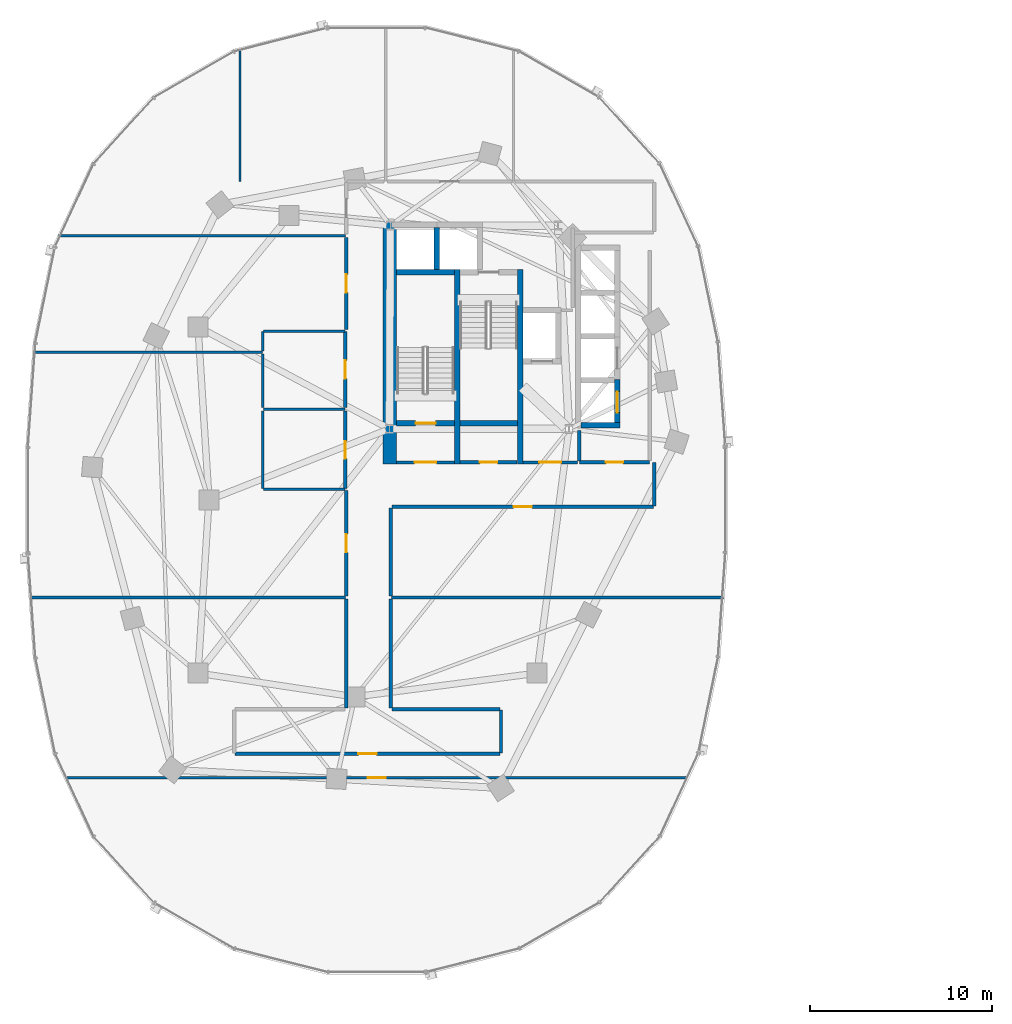
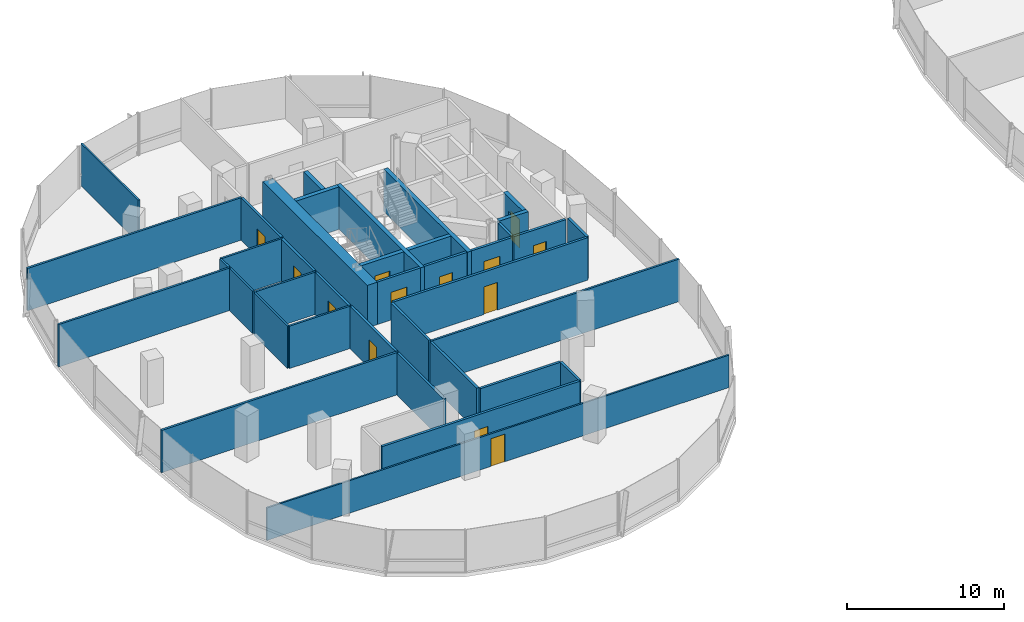
# One storey, part 11 of 21: 38 walls, 13 doors, 13 openings.
"""IFC4 building model written with IfcOpenShell, lengths in metres."""

from ifc_helpers import new_model, si_unit, direction, frame, frame_2d, origin, place, context, subcontext, project, spatial, rectangle, extrude, material, layer, layer_set, type_object, element, fill, save


model = new_model("IFC4")

# Units and contexts
model_context = context("Model", 3, precision=1e-05, world=origin(), true_north=direction((0.0, 1.0)))
body_context = subcontext(model_context, "Body", "Model", "MODEL_VIEW")
ifc_project = project(units=[si_unit("LENGTHUNIT", "METRE"), si_unit("AREAUNIT", "SQUARE_METRE"), si_unit("VOLUMEUNIT", "CUBIC_METRE"), si_unit("PLANEANGLEUNIT", "RADIAN"), si_unit("MASSUNIT", "GRAM", prefix="KILO"), si_unit("THERMODYNAMICTEMPERATUREUNIT", "KELVIN"), si_unit("POWERUNIT", "WATT")], contexts=[model_context])

# Site, building, storey
site_placement = place(None, origin())
site = spatial("IfcSite", under=ifc_project, at=site_placement, CompositionType="ELEMENT")
building_placement = place(site_placement, origin())
building = spatial("IfcBuilding", under=site, at=building_placement, Name="Cundina Bronze Exchange", CompositionType="ELEMENT")
storey_placement = place(building_placement, frame((0.0, 0.0, 117.800048828125)))
storey = spatial("IfcBuildingStorey", under=building, at=storey_placement, Name="L30", CompositionType="ELEMENT", Elevation=117.800048828125)

# Wall
ifc_material_1 = material(Name="Gypsum Fireboard Partition EI120")
ifc_layer_1 = layer(ifc_material_1, 0.179931640625, Name="Gypsum Fireboard Partition EI120")
ifc_layer_set_1 = layer_set([ifc_layer_1], Name="Gypsum Fireboard Partition EI120")
wall_type_1 = type_object("IfcWallType", Name="WL-COR-180", PredefinedType="PARTITIONING", material=ifc_layer_set_1)
wall_1_placement = place(storey_placement, frame((-20.889892578125, 2.14990234375, 0.0), z_axis=(0.0, 0.0, 1.0), x_axis=(0.0, 1.0, 0.0)))
element("IfcWall", 1, at=wall_1_placement, inside=storey, type_object=wall_type_1, Name="L30 W Firefighting Lobby Side Wall", PredefinedType="PARTITIONING", context=body_context, shape_type="SweptSolid", body=[
    extrude(rectangle(XDim=1.650146484375, YDim=0.179931640625, at=frame_2d((0.8251953125, 0.0))), origin(), (0.0, 0.0, 1.0), 3.300048828125),
])

# Wall, opening, door
wall_2_placement = place(storey_placement, frame((-23.97998046875, 2.06005859375, 0.0), z_axis=(0.0, 0.0, 1.0), x_axis=(1.0, 0.0, 0.0)))
wall_2 = element("IfcWall", 2, at=wall_2_placement, inside=storey, type_object=wall_type_1, Name="L30 W Firefighting Lobby Exit Wall", PredefinedType="PARTITIONING", context=body_context, shape_type="SweptSolid", body=[
    extrude(rectangle(XDim=3.0, YDim=0.179931640625, at=frame_2d((1.5, 0.0))), origin(), (0.0, 0.0, 1.0), 3.300048828125),
])
opening_1_placement = place(wall_2_placement, frame((0.89990234375, 0.0, 0.0)))
opening_1 = element("IfcOpeningElement", 3, at=opening_1_placement, cuts=wall_2, Name="Opening DF-01", PredefinedType="OPENING", context=body_context, shape_type="SweptSolid", body=[
    extrude(rectangle(XDim=1.199951171875, YDim=2.14990234375, at=frame_2d((0.60009765625, 1.074951171875))), frame((0.0, 0.099853515625, 0.0), z_axis=(0.0, -1.0, 0.0), x_axis=(1.0, 0.0, 0.0)), (0.0, 0.0, 1.0), 0.199951171875),
])
ifc_material_2 = material(Name="Steel ASTM A36 Painted", Category="steel")
door_type_1 = type_object("IfcDoorType", Name="DR-FFL-1200", OperationType="NOTDEFINED", PredefinedType="DOOR", material=ifc_material_2)
door_1_placement = place(opening_1_placement, origin())
door_1 = element("IfcDoor", 4, at=door_1_placement, inside=storey, type_object=door_type_1, Name="L30 W Firefighting Lobby Door", OperationType="SINGLE_SWING_RIGHT", OverallHeight=2.14990234375, OverallWidth=1.199951171875, PredefinedType="DOOR", context=body_context, shape_type="SweptSolid", body=[
    extrude(rectangle(XDim=1.199951171875, YDim=2.14990234375, at=frame_2d((0.60009765625, 1.074951171875))), frame((0.0, 0.02490234375, 0.0), z_axis=(0.0, -1.0, 0.0), x_axis=(1.0, 0.0, 0.0)), (0.0, 0.0, 1.0), 0.050048828125),
])
fill(opening_1, door_1)

wall_3_placement = place(storey_placement, frame((-30.89990234375, 2.06005859375, 0.0), z_axis=(0.0, 0.0, 1.0), x_axis=(1.0, 0.0, 0.0)))
wall_3 = element("IfcWall", 5, at=wall_3_placement, inside=storey, type_object=wall_type_1, Name="L30 W Stair Vestibule Exit Wall", PredefinedType="PARTITIONING", context=body_context, shape_type="SweptSolid", body=[
    extrude(rectangle(XDim=3.159912109375, YDim=0.179931640625, at=frame_2d((1.580078125, 0.0))), origin(), (0.0, 0.0, 1.0), 3.300048828125),
])
opening_2_placement = place(wall_3_placement, frame((0.97998046875, 0.0, 0.0)))
opening_2 = element("IfcOpeningElement", 6, at=opening_2_placement, cuts=wall_3, Name="Opening DF-01", PredefinedType="OPENING", context=body_context, shape_type="SweptSolid", body=[
    extrude(rectangle(XDim=1.199951171875, YDim=2.14990234375, at=frame_2d((0.60009765625, 1.074951171875))), frame((0.0, 0.099853515625, 0.0), z_axis=(0.0, -1.0, 0.0), x_axis=(1.0, 0.0, 0.0)), (0.0, 0.0, 1.0), 0.199951171875),
])
door_2_placement = place(opening_2_placement, origin())
door_2 = element("IfcDoor", 7, at=door_2_placement, inside=storey, type_object=door_type_1, Name="L30 W Stair Vestibule Door", OperationType="SINGLE_SWING_LEFT", OverallHeight=2.14990234375, OverallWidth=1.199951171875, PredefinedType="DOOR", context=body_context, shape_type="SweptSolid", body=[
    extrude(rectangle(XDim=1.199951171875, YDim=2.14990234375, at=frame_2d((0.60009765625, 1.074951171875))), frame((0.0, 0.02490234375, 0.0), z_axis=(0.0, -1.0, 0.0), x_axis=(1.0, 0.0, 0.0)), (0.0, 0.0, 1.0), 0.050048828125),
])
fill(opening_2, door_2)

wall_4_placement = place(storey_placement, frame((-20.8701171875, 2.070068359375, 0.0), z_axis=(0.0, 0.0, 1.0), x_axis=(1.0, 0.0, 0.0)))
wall_4 = element("IfcWall", 8, at=wall_4_placement, inside=storey, type_object=wall_type_1, Name="L30 Interior Partition 002", PredefinedType="PARTITIONING", context=body_context, shape_type="SweptSolid", body=[
    extrude(rectangle(XDim=3.830078125, YDim=0.179931640625, at=frame_2d((1.9150390625, 0.0))), origin(), (0.0, 0.0, 1.0), 3.300048828125),
])
opening_3_placement = place(wall_4_placement, frame((1.43994140625, 0.0, 0.0)))
opening_3 = element("IfcOpeningElement", 9, at=opening_3_placement, cuts=wall_4, Name="Opening DW-01", PredefinedType="OPENING", context=body_context, shape_type="SweptSolid", body=[
    extrude(rectangle(XDim=0.949951171875, YDim=2.10009765625, at=frame_2d((0.47509765625, 1.050048828125))), frame((0.0, 0.099853515625, 0.0), z_axis=(0.0, -1.0, 0.0), x_axis=(1.0, 0.0, 0.0)), (0.0, 0.0, 1.0), 0.199951171875),
])
ifc_material_3 = material(Name="Solid Andean Oak Timber Grade A", Category="wood")
door_type_2 = type_object("IfcDoorType", Name="DR-WC-950", OperationType="NOTDEFINED", PredefinedType="DOOR", material=ifc_material_3)
door_3_placement = place(opening_3_placement, origin())
door_3 = element("IfcDoor", 10, at=door_3_placement, inside=storey, type_object=door_type_2, Name="L30 Interior Door 002", OperationType="SINGLE_SWING_RIGHT", OverallHeight=2.10009765625, OverallWidth=0.949951171875, PredefinedType="DOOR", context=body_context, shape_type="SweptSolid", body=[
    extrude(rectangle(XDim=0.949951171875, YDim=2.10009765625, at=frame_2d((0.47509765625, 1.050048828125))), frame((0.0, 0.02490234375, 0.0), z_axis=(0.0, -1.0, 0.0), x_axis=(1.0, 0.0, 0.0)), (0.0, 0.0, 1.0), 0.050048828125),
])
fill(opening_3, door_3)

wall_5_placement = place(storey_placement, frame((-27.419921875, 2.070068359375, 0.0), z_axis=(0.0, 0.0, 1.0), x_axis=(1.0, 0.0, 0.0)))
wall_5 = element("IfcWall", 11, at=wall_5_placement, inside=storey, type_object=wall_type_1, Name="L30 Interior Partition 005", PredefinedType="PARTITIONING", context=body_context, shape_type="SweptSolid", body=[
    extrude(rectangle(XDim=3.119873046875, YDim=0.179931640625, at=frame_2d((1.56005859375, 0.0))), origin(), (0.0, 0.0, 1.0), 3.300048828125),
])
opening_4_placement = place(wall_5_placement, frame((1.0849609375, 0.0, 0.0)))
opening_4 = element("IfcOpeningElement", 12, at=opening_4_placement, cuts=wall_5, Name="Opening DW-01", PredefinedType="OPENING", context=body_context, shape_type="SweptSolid", body=[
    extrude(rectangle(XDim=0.949951171875, YDim=2.10009765625, at=frame_2d((0.47509765625, 1.050048828125))), frame((0.0, 0.099853515625, 0.0), z_axis=(0.0, -1.0, 0.0), x_axis=(1.0, 0.0, 0.0)), (0.0, 0.0, 1.0), 0.199951171875),
])
door_4_placement = place(opening_4_placement, origin())
door_4 = element("IfcDoor", 13, at=door_4_placement, inside=storey, type_object=door_type_2, Name="L30 Interior Door 005", OperationType="SINGLE_SWING_LEFT", OverallHeight=2.10009765625, OverallWidth=0.949951171875, PredefinedType="DOOR", context=body_context, shape_type="SweptSolid", body=[
    extrude(rectangle(XDim=0.949951171875, YDim=2.10009765625, at=frame_2d((0.47509765625, 1.050048828125))), frame((0.0, 0.02490234375, 0.0), z_axis=(0.0, -1.0, 0.0), x_axis=(1.0, 0.0, 0.0)), (0.0, 0.0, 1.0), 0.050048828125),
])
fill(opening_4, door_4)

wall_6_placement = place(storey_placement, frame((-33.719970703125, 0.6201171875, 0.0), z_axis=(0.0, 0.0, 1.0), x_axis=(0.0, 1.0, 0.0)))
wall_6 = element("IfcWall", 14, at=wall_6_placement, inside=storey, type_object=wall_type_1, Name="L30 Interior Partition 012", PredefinedType="PARTITIONING", context=body_context, shape_type="SweptSolid", body=[
    extrude(rectangle(XDim=4.259765625, YDim=0.179931640625, at=frame_2d((2.1298828125, 0.0))), origin(), (0.0, 0.0, 1.0), 3.300048828125),
])
opening_5_placement = place(wall_6_placement, frame((1.655029296875, 0.0, 0.0)))
opening_5 = element("IfcOpeningElement", 15, at=opening_5_placement, cuts=wall_6, Name="Opening DW-01", PredefinedType="OPENING", context=body_context, shape_type="SweptSolid", body=[
    extrude(rectangle(XDim=0.949951171875, YDim=2.10009765625, at=frame_2d((0.47509765625, 1.050048828125))), frame((0.0, 0.099853515625, 0.0), z_axis=(0.0, -1.0, 0.0), x_axis=(1.0, 0.0, 0.0)), (0.0, 0.0, 1.0), 0.199951171875),
])
door_5_placement = place(opening_5_placement, origin())
door_5 = element("IfcDoor", 16, at=door_5_placement, inside=storey, type_object=door_type_2, Name="L30 Interior Door 012", OperationType="SINGLE_SWING_RIGHT", OverallHeight=2.10009765625, OverallWidth=0.949951171875, PredefinedType="DOOR", context=body_context, shape_type="SweptSolid", body=[
    extrude(rectangle(XDim=0.949951171875, YDim=2.10009765625, at=frame_2d((0.47509765625, 1.050048828125))), frame((0.0, 0.02490234375, 0.0), z_axis=(0.0, -1.0, 0.0), x_axis=(1.0, 0.0, 0.0)), (0.0, 0.0, 1.0), 0.050048828125),
])
fill(opening_5, door_5)

wall_7_placement = place(storey_placement, frame((-33.719970703125, 5.080078125, 0.0), z_axis=(0.0, 0.0, 1.0), x_axis=(0.0, 1.0, 0.0)))
wall_7 = element("IfcWall", 17, at=wall_7_placement, inside=storey, type_object=wall_type_1, Name="L30 Interior Partition 013", PredefinedType="PARTITIONING", context=body_context, shape_type="SweptSolid", body=[
    extrude(rectangle(XDim=4.159912109375, YDim=0.179931640625, at=frame_2d((2.080078125, 0.0))), origin(), (0.0, 0.0, 1.0), 3.300048828125),
])
opening_6_placement = place(wall_7_placement, frame((1.580078125, 0.0, 0.0)))
opening_6 = element("IfcOpeningElement", 18, at=opening_6_placement, cuts=wall_7, Name="Opening DO-01", PredefinedType="OPENING", context=body_context, shape_type="SweptSolid", body=[
    extrude(rectangle(XDim=1.0, YDim=2.14990234375, at=frame_2d((0.5, 1.074951171875))), frame((0.0, 0.099853515625, 0.0), z_axis=(0.0, -1.0, 0.0), x_axis=(1.0, 0.0, 0.0)), (0.0, 0.0, 1.0), 0.199951171875),
])
door_type_3 = type_object("IfcDoorType", Name="DR-OFF-1000", OperationType="NOTDEFINED", PredefinedType="DOOR", material=ifc_material_3)
door_6_placement = place(opening_6_placement, origin())
door_6 = element("IfcDoor", 19, at=door_6_placement, inside=storey, type_object=door_type_3, Name="L30 Interior Door 013", OperationType="SINGLE_SWING_RIGHT", OverallHeight=2.14990234375, OverallWidth=1.0, PredefinedType="DOOR", context=body_context, shape_type="SweptSolid", body=[
    extrude(rectangle(XDim=1.0, YDim=2.14990234375, at=frame_2d((0.5, 1.074951171875))), frame((0.0, 0.02490234375, 0.0), z_axis=(0.0, -1.0, 0.0), x_axis=(1.0, 0.0, 0.0)), (0.0, 0.0, 1.0), 0.050048828125),
])
fill(opening_6, door_6)

wall_8_placement = place(storey_placement, frame((-39.778564453125, -13.919921875, 0.0), z_axis=(0.0, 0.0, 1.0), x_axis=(1.0, 0.0, 0.0)))
wall_8 = element("IfcWall", 20, at=wall_8_placement, inside=storey, type_object=wall_type_1, Name="L30 Interior Partition 021", PredefinedType="PARTITIONING", context=body_context, shape_type="SweptSolid", body=[
    extrude(rectangle(XDim=14.55712890625, YDim=0.179931640625, at=frame_2d((7.278564453125, 0.0))), origin(), (0.0, 0.0, 1.0), 3.300048828125),
])
opening_7_placement = place(wall_8_placement, frame((6.778564453125, 0.0, 0.0)))
opening_7 = element("IfcOpeningElement", 21, at=opening_7_placement, cuts=wall_8, Name="Opening DO-01", PredefinedType="OPENING", context=body_context, shape_type="SweptSolid", body=[
    extrude(rectangle(XDim=1.0, YDim=2.14990234375, at=frame_2d((0.5, 1.074951171875))), frame((0.0, 0.099853515625, 0.0), z_axis=(0.0, -1.0, 0.0), x_axis=(1.0, 0.0, 0.0)), (0.0, 0.0, 1.0), 0.199951171875),
])
door_7_placement = place(opening_7_placement, origin())
door_7 = element("IfcDoor", 22, at=door_7_placement, inside=storey, type_object=door_type_3, Name="L30 Interior Door 021", OperationType="SINGLE_SWING_LEFT", OverallHeight=2.14990234375, OverallWidth=1.0, PredefinedType="DOOR", context=body_context, shape_type="SweptSolid", body=[
    extrude(rectangle(XDim=1.0, YDim=2.14990234375, at=frame_2d((0.5, 1.074951171875))), frame((0.0, 0.02490234375, 0.0), z_axis=(0.0, -1.0, 0.0), x_axis=(1.0, 0.0, 0.0)), (0.0, 0.0, 1.0), 0.050048828125),
])
fill(opening_7, door_7)

# Walls
for number, where, z_axis, x_axis, name in (
    (23, (-33.669921875, -5.43994140625, 0.0), (0.0, 0.0, 1.0), (0.0, -1.0, 0.0), "L30 Interior Partition 023"),
    (24, (-31.22998046875, -11.39990234375, 0.0), (0.0, 0.0, 1.0), (0.0, 1.0, 0.0), "L30 Interior Partition 024"),
):
    element("IfcWall", number, at=place(storey_placement, frame(where, z_axis=z_axis, x_axis=x_axis)), inside=storey, type_object=wall_type_1, Name=name, PredefinedType="PARTITIONING", context=body_context, shape_type="SweptSolid", body=[
        extrude(rectangle(XDim=5.9599609375, YDim=0.179931640625, at=frame_2d((2.97998046875, 0.0))), origin(), (0.0, 0.0, 1.0), 3.300048828125),
    ])
wall_9_placement = place(storey_placement, frame((-25.221435546875, -11.47998046875, 0.0), z_axis=(0.0, 0.0, 1.0), x_axis=(-1.0, 0.0, 0.0)))
element("IfcWall", 25, at=wall_9_placement, inside=storey, type_object=wall_type_1, Name="L30 Interior Partition 025", PredefinedType="PARTITIONING", context=body_context, shape_type="SweptSolid", body=[
    extrude(rectangle(XDim=5.928466796875, YDim=0.179931640625, at=frame_2d((2.96435546875, 0.0))), origin(), (0.0, 0.0, 1.0), 3.300048828125),
])
wall_10_placement = place(storey_placement, frame((-25.179931640625, -13.87841796875, 0.0), z_axis=(0.0, 0.0, 1.0), x_axis=(0.0, 1.0, 0.0)))
element("IfcWall", 26, at=wall_10_placement, inside=storey, type_object=wall_type_1, Name="L30 Interior Partition 027", PredefinedType="PARTITIONING", context=body_context, shape_type="SweptSolid", body=[
    extrude(rectangle(XDim=2.35693359375, YDim=0.179931640625, at=frame_2d((1.178466796875, 0.0))), origin(), (0.0, 0.0, 1.0), 3.300048828125),
])

# Wall, opening, door
wall_11_placement = place(storey_placement, frame((-33.669921875, 0.508544921875, 0.0), z_axis=(0.0, 0.0, 1.0), x_axis=(0.0, -1.0, 0.0)))
wall_11 = element("IfcWall", 27, at=wall_11_placement, inside=storey, type_object=wall_type_1, Name="L30 Interior Partition 028", PredefinedType="PARTITIONING", context=body_context, shape_type="SweptSolid", body=[
    extrude(rectangle(XDim=5.7685546875, YDim=0.179931640625, at=frame_2d((2.88427734375, 0.0))), origin(), (0.0, 0.0, 1.0), 3.300048828125),
])
opening_8_placement = place(wall_11_placement, frame((2.38427734375, 0.0, 0.0)))
opening_8 = element("IfcOpeningElement", 28, at=opening_8_placement, cuts=wall_11, Name="Opening DO-01", PredefinedType="OPENING", context=body_context, shape_type="SweptSolid", body=[
    extrude(rectangle(XDim=1.0, YDim=2.14990234375, at=frame_2d((0.5, 1.074951171875))), frame((0.0, 0.099853515625, 0.0), z_axis=(0.0, -1.0, 0.0), x_axis=(1.0, 0.0, 0.0)), (0.0, 0.0, 1.0), 0.199951171875),
])
door_8_placement = place(opening_8_placement, origin())
door_8 = element("IfcDoor", 29, at=door_8_placement, inside=storey, type_object=door_type_3, Name="L30 Interior Door 028", OperationType="SINGLE_SWING_RIGHT", OverallHeight=2.14990234375, OverallWidth=1.0, PredefinedType="DOOR", context=body_context, shape_type="SweptSolid", body=[
    extrude(rectangle(XDim=1.0, YDim=2.14990234375, at=frame_2d((0.5, 1.074951171875))), frame((0.0, 0.02490234375, 0.0), z_axis=(0.0, -1.0, 0.0), x_axis=(1.0, 0.0, 0.0)), (0.0, 0.0, 1.0), 0.050048828125),
])
fill(opening_8, door_8)

wall_12_placement = place(storey_placement, frame((-31.14990234375, -0.3701171875, 0.0), z_axis=(0.0, 0.0, 1.0), x_axis=(1.0, 0.0, 0.0)))
wall_12 = element("IfcWall", 30, at=wall_12_placement, inside=storey, type_object=wall_type_1, Name="L30 Interior Partition 029", PredefinedType="PARTITIONING", context=body_context, shape_type="SweptSolid", body=[
    extrude(rectangle(XDim=14.328369140625, YDim=0.179931640625, at=frame_2d((7.1640625, 0.0))), origin(), (0.0, 0.0, 1.0), 3.300048828125),
])
opening_9_placement = place(wall_12_placement, frame((6.664306640625, 0.0, 0.0)))
opening_9 = element("IfcOpeningElement", 31, at=opening_9_placement, cuts=wall_12, Name="Opening DO-01", PredefinedType="OPENING", context=body_context, shape_type="SweptSolid", body=[
    extrude(rectangle(XDim=1.0, YDim=2.14990234375, at=frame_2d((0.5, 1.074951171875))), frame((0.0, 0.099853515625, 0.0), z_axis=(0.0, -1.0, 0.0), x_axis=(1.0, 0.0, 0.0)), (0.0, 0.0, 1.0), 0.199951171875),
])
door_9_placement = place(opening_9_placement, origin())
door_9 = element("IfcDoor", 32, at=door_9_placement, inside=storey, type_object=door_type_3, Name="L30 Interior Door 029", OperationType="SINGLE_SWING_LEFT", OverallHeight=2.14990234375, OverallWidth=1.0, PredefinedType="DOOR", context=body_context, shape_type="SweptSolid", body=[
    extrude(rectangle(XDim=1.0, YDim=2.14990234375, at=frame_2d((0.5, 1.074951171875))), frame((0.0, 0.02490234375, 0.0), z_axis=(0.0, -1.0, 0.0), x_axis=(1.0, 0.0, 0.0)), (0.0, 0.0, 1.0), 0.050048828125),
])
fill(opening_9, door_9)

# Walls
wall_13_placement = place(storey_placement, frame((-31.22998046875, -5.260009765625, 0.0), z_axis=(0.0, 0.0, 1.0), x_axis=(0.0, 1.0, 0.0)))
element("IfcWall", 33, at=wall_13_placement, inside=storey, type_object=wall_type_1, Name="L30 Interior Partition 031", PredefinedType="PARTITIONING", context=body_context, shape_type="SweptSolid", body=[
    extrude(rectangle(XDim=4.81005859375, YDim=0.179931640625, at=frame_2d((2.405029296875, 0.0))), origin(), (0.0, 0.0, 1.0), 3.300048828125),
])
wall_14_placement = place(storey_placement, frame((-16.780029296875, -0.32861328125, 0.0), z_axis=(0.0, 0.0, 1.0), x_axis=(0.0, 1.0, 0.0)))
element("IfcWall", 34, at=wall_14_placement, inside=storey, type_object=wall_type_1, Name="L30 Interior Partition 034", PredefinedType="PARTITIONING", context=body_context, shape_type="SweptSolid", body=[
    extrude(rectangle(XDim=2.38720703125, YDim=0.179931640625, at=frame_2d((1.193603515625, 0.0))), origin(), (0.0, 0.0, 1.0), 3.300048828125),
])

# Wall, opening, door
wall_15_placement = place(storey_placement, frame((-33.669921875, 14.409912109375, 0.0), z_axis=(0.0, 0.0, 1.0), x_axis=(0.0, -1.0, 0.0)))
wall_15 = element("IfcWall", 35, at=wall_15_placement, inside=storey, type_object=wall_type_1, Name="L30 Interior Partition 035", PredefinedType="PARTITIONING", context=body_context, shape_type="SweptSolid", body=[
    extrude(rectangle(XDim=5.05859375, YDim=0.179931640625, at=frame_2d((2.529296875, 0.0))), origin(), (0.0, 0.0, 1.0), 3.300048828125),
])
opening_10_placement = place(wall_15_placement, frame((2.029296875, 0.0, 0.0)))
opening_10 = element("IfcOpeningElement", 36, at=opening_10_placement, cuts=wall_15, Name="Opening DO-01", PredefinedType="OPENING", context=body_context, shape_type="SweptSolid", body=[
    extrude(rectangle(XDim=1.0, YDim=2.14990234375, at=frame_2d((0.5, 1.074951171875))), frame((0.0, 0.099853515625, 0.0), z_axis=(0.0, -1.0, 0.0), x_axis=(1.0, 0.0, 0.0)), (0.0, 0.0, 1.0), 0.199951171875),
])
door_10_placement = place(opening_10_placement, origin())
door_10 = element("IfcDoor", 37, at=door_10_placement, inside=storey, type_object=door_type_3, Name="L30 Interior Door 035", OperationType="SINGLE_SWING_RIGHT", OverallHeight=2.14990234375, OverallWidth=1.0, PredefinedType="DOOR", context=body_context, shape_type="SweptSolid", body=[
    extrude(rectangle(XDim=1.0, YDim=2.14990234375, at=frame_2d((0.5, 1.074951171875))), frame((0.0, 0.02490234375, 0.0), z_axis=(0.0, -1.0, 0.0), x_axis=(1.0, 0.0, 0.0)), (0.0, 0.0, 1.0), 0.050048828125),
])
fill(opening_10, door_10)

# Walls
ifc_material_4 = material(Name="Concrete C60/75", Category="concrete")
ifc_layer_2 = layer(ifc_material_4, 0.75, Name="Concrete C60/75", Category="concrete")
ifc_layer_set_2 = layer_set([ifc_layer_2], Name="Concrete C60/75")
wall_type_2 = type_object("IfcWallType", Name="WL-CORE-750", PredefinedType="SHEAR", material=ifc_layer_set_2)
wall_16_placement = place(storey_placement, frame((-31.27490234375, 1.969970703125, 0.0), z_axis=(0.0, 0.0, 1.0), x_axis=(0.0, 1.0, 0.0)))
element("IfcWall", 38, at=wall_16_placement, inside=storey, type_object=wall_type_2, Name="L30 W Primary Core Shear Spine Wall", PredefinedType="SHEAR", context=body_context, shape_type="SweptSolid", body=[
    extrude(rectangle(XDim=13.330078125, YDim=0.75, at=frame_2d((6.6650390625, 0.0))), origin(), (0.0, 0.0, 1.0), 3.300048828125),
])
ifc_material_5 = material(Name="Gypsum Acoustic Partition EI60")
ifc_layer_3 = layer(ifc_material_5, 0.125, Name="Gypsum Acoustic Partition EI60")
ifc_layer_set_3 = layer_set([ifc_layer_3], Name="Gypsum Acoustic Partition EI60")
wall_type_3 = type_object("IfcWallType", Name="WL-OFF-125", PredefinedType="PARTITIONING", material=ifc_layer_set_3)
wall_17_placement = place(storey_placement, frame((-39.5, 17.469970703125, 0.0), z_axis=(0.0, 0.0, 1.0), x_axis=(0.0, 1.0, 0.0)))
element("IfcWall", 39, at=wall_17_placement, inside=storey, type_object=wall_type_3, Name="L30 Interior Partition 018", PredefinedType="PARTITIONING", context=body_context, shape_type="SweptSolid", body=[
    extrude(rectangle(XDim=7.30224609375, YDim=0.125, at=frame_2d((3.651123046875, 0.0))), origin(), (0.0, 0.0, 1.0), 3.300048828125),
])

# Wall, opening, door
wall_18_placement = place(storey_placement, frame((-49.005126953125, -15.22998046875, 0.0), z_axis=(0.0, 0.0, 1.0), x_axis=(1.0, 0.0, 0.0)))
wall_18 = element("IfcWall", 40, at=wall_18_placement, inside=storey, type_object=wall_type_3, Name="L30 Interior Partition 039", PredefinedType="PARTITIONING", context=body_context, shape_type="SweptSolid", body=[
    extrude(rectangle(XDim=34.01025390625, YDim=0.125, at=frame_2d((17.005126953125, 0.0))), origin(), (0.0, 0.0, 1.0), 2.52685546875),
])
opening_11_placement = place(wall_18_placement, frame((16.505126953125, 0.0, 0.0)))
opening_11 = element("IfcOpeningElement", 41, at=opening_11_placement, cuts=wall_18, Name="Opening DO-01", PredefinedType="OPENING", context=body_context, shape_type="SweptSolid", body=[
    extrude(rectangle(XDim=1.0, YDim=2.14990234375, at=frame_2d((0.5, 1.074951171875))), frame((0.0, 0.072509765625, 0.0), z_axis=(0.0, -1.0, 0.0), x_axis=(1.0, 0.0, 0.0)), (0.0, 0.0, 1.0), 0.14501953125),
])
door_11_placement = place(opening_11_placement, origin())
door_11 = element("IfcDoor", 42, at=door_11_placement, inside=storey, type_object=door_type_3, Name="L30 Interior Door 039", OperationType="SINGLE_SWING_LEFT", OverallHeight=2.14990234375, OverallWidth=1.0, PredefinedType="DOOR", context=body_context, shape_type="SweptSolid", body=[
    extrude(rectangle(XDim=1.0, YDim=2.14990234375, at=frame_2d((0.5, 1.074951171875))), frame((0.0, 0.02490234375, 0.0), z_axis=(0.0, -1.0, 0.0), x_axis=(1.0, 0.0, 0.0)), (0.0, 0.0, 1.0), 0.050048828125),
])
fill(opening_11, door_11)

# Walls
ifc_material_6 = material(Name="Concrete C50/60", Category="concrete")
ifc_layer_4 = layer(ifc_material_6, 0.300048828125, Name="Concrete C50/60", Category="concrete")
ifc_layer_set_4 = layer_set([ifc_layer_4], Name="Concrete C50/60")
wall_type_4 = type_object("IfcWallType", Name="WL-SHFT-300", PredefinedType="SHEAR", material=ifc_layer_set_4)
for number, where, z_axis, x_axis, name in (
    (43, (-27.590087890625, 1.969970703125, 0.0), (0.0, 0.0, 1.0), (0.0, 1.0, 0.0), "L30 W Stair Shaft Dividing Shear Wall"),
    (44, (-24.1298828125, 1.969970703125, 0.0), (0.0, 0.0, 1.0), (0.0, 1.0, 0.0), "L30 W Stair 2 East Shear Wall"),
):
    element("IfcWall", number, at=place(storey_placement, frame(where, z_axis=z_axis, x_axis=x_axis)), inside=storey, type_object=wall_type_4, Name=name, PredefinedType="SHEAR", context=body_context, shape_type="SweptSolid", body=[
        extrude(rectangle(XDim=10.679931640625, YDim=0.300048828125, at=frame_2d((5.33984375, 0.0))), origin(), (0.0, 0.0, 1.0), 3.300048828125),
    ])

# Wall, opening, door
wall_19_placement = place(storey_placement, frame((-30.89990234375, 4.199951171875, 0.0), z_axis=(0.0, 0.0, 1.0), x_axis=(1.0, 0.0, 0.0)))
wall_19 = element("IfcWall", 45, at=wall_19_placement, inside=storey, type_object=wall_type_4, Name="L30 Stair W1 Landing Wall", PredefinedType="SHEAR", context=body_context, shape_type="SweptSolid", body=[
    extrude(rectangle(XDim=3.159912109375, YDim=0.300048828125, at=frame_2d((1.580078125, 0.0))), origin(), (0.0, 0.0, 1.0), 3.300048828125),
])
opening_12_placement = place(wall_19_placement, frame((1.030029296875, 0.0, 0.0)))
opening_12 = element("IfcOpeningElement", 46, at=opening_12_placement, cuts=wall_19, Name="Opening DS-01", PredefinedType="OPENING", context=body_context, shape_type="SweptSolid", body=[
    extrude(rectangle(XDim=1.10009765625, YDim=2.14990234375, at=frame_2d((0.550048828125, 1.074951171875))), frame((0.0, 0.159912109375, 0.0), z_axis=(0.0, -1.0, 0.0), x_axis=(1.0, 0.0, 0.0)), (0.0, 0.0, 1.0), 0.320068359375),
])
door_type_4 = type_object("IfcDoorType", Name="DR-STR-1100", OperationType="NOTDEFINED", PredefinedType="DOOR", material=ifc_material_2)
door_12_placement = place(opening_12_placement, origin())
door_12 = element("IfcDoor", 47, at=door_12_placement, inside=storey, type_object=door_type_4, Name="L30 Smokeproof Stair W1 Door", OperationType="SINGLE_SWING_RIGHT", OverallHeight=2.14990234375, OverallWidth=1.10009765625, PredefinedType="DOOR", context=body_context, shape_type="SweptSolid", body=[
    extrude(rectangle(XDim=1.10009765625, YDim=2.14990234375, at=frame_2d((0.550048828125, 1.074951171875))), frame((0.0, 0.02490234375, 0.0), z_axis=(0.0, -1.0, 0.0), x_axis=(1.0, 0.0, 0.0)), (0.0, 0.0, 1.0), 0.050048828125),
])
fill(opening_12, door_12)

# Walls
for number, where, z_axis, x_axis, name in (
    (48, (-30.89990234375, 12.5, 0.0), (0.0, 0.0, 1.0), (1.0, 0.0, 0.0), "L30 Stair W1 Far Shaft Wall"),
    (49, (-27.43994140625, 4.199951171875, 0.0), (0.0, 0.0, 1.0), (1.0, 0.0, 0.0), "L30 Stair W2 Far Shaft Wall"),
):
    element("IfcWall", number, at=place(storey_placement, frame(where, z_axis=z_axis, x_axis=x_axis)), inside=storey, type_object=wall_type_4, Name=name, PredefinedType="SHEAR", context=body_context, shape_type="SweptSolid", body=[
        extrude(rectangle(XDim=3.159912109375, YDim=0.300048828125, at=frame_2d((1.580078125, 0.0))), origin(), (0.0, 0.0, 1.0), 3.300048828125),
    ])
wall_20_placement = place(storey_placement, frame((-28.699951171875, 12.64990234375, 0.0), z_axis=(0.0, 0.0, 1.0), x_axis=(0.0, 1.0, 0.0)))
element("IfcWall", 50, at=wall_20_placement, inside=storey, type_object=wall_type_4, Name="L30 PH-W1 Hoistway Divider Wall", PredefinedType="SHEAR", context=body_context, shape_type="SweptSolid", body=[
    extrude(rectangle(XDim=2.300048828125, YDim=0.300048828125, at=frame_2d((1.14990234375, 0.0))), origin(), (0.0, 0.0, 1.0), 3.300048828125),
])
wall_21_placement = place(storey_placement, frame((-20.800048828125, 4.10009765625, 0.0), z_axis=(0.0, 0.0, 1.0), x_axis=(1.0, 0.0, 0.0)))
element("IfcWall", 51, at=wall_21_placement, inside=storey, type_object=wall_type_4, Name="L30 W Passenger Bank South Cap Wall", PredefinedType="SHEAR", context=body_context, shape_type="SweptSolid", body=[
    extrude(rectangle(XDim=2.150146484375, YDim=0.300048828125, at=frame_2d((1.0751953125, 0.0))), origin(), (0.0, 0.0, 1.0), 3.300048828125),
])

# Wall, opening, door
wall_22_placement = place(storey_placement, frame((-18.800048828125, 4.1298828125, 0.0), z_axis=(0.0, 0.0, 1.0), x_axis=(0.0, 1.0, 0.0)))
wall_22 = element("IfcWall", 52, at=wall_22_placement, inside=storey, type_object=wall_type_4, Name="L30 PL-W2 Hoistway Front Wall", PredefinedType="SHEAR", context=body_context, shape_type="SweptSolid", body=[
    extrude(rectangle(XDim=2.490234375, YDim=0.300048828125, at=frame_2d((1.2451171875, 0.0))), origin(), (0.0, 0.0, 1.0), 3.300048828125),
])
opening_13_placement = place(wall_22_placement, frame((0.669921875, 0.0, 0.0)))
opening_13 = element("IfcOpeningElement", 53, at=opening_13_placement, cuts=wall_22, Name="Opening LD-01", PredefinedType="OPENING", context=body_context, shape_type="SweptSolid", body=[
    extrude(rectangle(XDim=1.14990234375, YDim=2.199951171875, at=frame_2d((0.574951171875, 1.10009765625))), frame((0.0, 0.159912109375, 0.0), z_axis=(0.0, -1.0, 0.0), x_axis=(1.0, 0.0, 0.0)), (0.0, 0.0, 1.0), 0.320068359375),
])
door_type_5 = type_object("IfcDoorType", Name="DR-LND-1150", OperationType="NOTDEFINED", PredefinedType="TRAPDOOR", material=ifc_material_2)
door_13_placement = place(opening_13_placement, origin())
door_13 = element("IfcDoor", 54, at=door_13_placement, inside=storey, type_object=door_type_5, Name="L30 PL-W2 Sliding Landing Door", OperationType="SLIDING_TO_LEFT", OverallHeight=2.199951171875, OverallWidth=1.14990234375, PredefinedType="TRAPDOOR", context=body_context, shape_type="SweptSolid", body=[
    extrude(rectangle(XDim=1.14990234375, YDim=2.199951171875, at=frame_2d((0.574951171875, 1.10009765625))), frame((0.0, 0.02490234375, 0.0), z_axis=(0.0, -1.0, 0.0), x_axis=(1.0, 0.0, 0.0)), (0.0, 0.0, 1.0), 0.050048828125),
])
fill(opening_13, door_13)

# Walls
ifc_layer_5 = layer(ifc_material_5, 0.14990234375, Name="Gypsum Acoustic Partition EI60")
ifc_layer_set_5 = layer_set([ifc_layer_5], Name="Gypsum Acoustic Partition EI60")
wall_type_5 = type_object("IfcWallType", Name="WL-TEN-150", PredefinedType="PARTITIONING", material=ifc_layer_set_5)
wall_23_placement = place(storey_placement, frame((-51.03759765625, -5.35009765625, 0.0), z_axis=(0.0, 0.0, 1.0), x_axis=(1.0, 0.0, 0.0)))
element("IfcWall", 55, at=wall_23_placement, inside=storey, type_object=wall_type_5, Name="L30 Interior Partition 014", PredefinedType="PARTITIONING", context=body_context, shape_type="SweptSolid", body=[
    extrude(rectangle(XDim=17.337646484375, YDim=0.14990234375, at=frame_2d((8.6689453125, 0.0))), origin(), (0.0, 0.0, 1.0), 3.300048828125),
])
wall_24_placement = place(storey_placement, frame((-31.199951171875, -5.35009765625, 0.0), z_axis=(0.0, 0.0, 1.0), x_axis=(1.0, 0.0, 0.0)))
element("IfcWall", 56, at=wall_24_placement, inside=storey, type_object=wall_type_5, Name="L30 Interior Partition 015", PredefinedType="PARTITIONING", context=body_context, shape_type="SweptSolid", body=[
    extrude(rectangle(XDim=18.237548828125, YDim=0.14990234375, at=frame_2d((9.11865234375, 0.0))), origin(), (0.0, 0.0, 1.0), 3.300048828125),
])
wall_25_placement = place(storey_placement, frame((-50.843994140625, 8.10009765625, 0.0), z_axis=(0.0, 0.0, 1.0), x_axis=(1.0, 0.0, 0.0)))
element("IfcWall", 57, at=wall_25_placement, inside=storey, type_object=wall_type_5, Name="L30 Interior Partition 016", PredefinedType="PARTITIONING", context=body_context, shape_type="SweptSolid", body=[
    extrude(rectangle(XDim=12.573974609375, YDim=0.14990234375, at=frame_2d((6.287109375, 0.0))), origin(), (0.0, 0.0, 1.0), 3.300048828125),
])
wall_26_placement = place(storey_placement, frame((-49.45458984375, 14.5, 0.0), z_axis=(0.0, 0.0, 1.0), x_axis=(1.0, 0.0, 0.0)))
element("IfcWall", 58, at=wall_26_placement, inside=storey, type_object=wall_type_5, Name="L30 Interior Partition 017", PredefinedType="PARTITIONING", context=body_context, shape_type="SweptSolid", body=[
    extrude(rectangle(XDim=15.754638671875, YDim=0.14990234375, at=frame_2d((7.87744140625, 0.0))), origin(), (0.0, 0.0, 1.0), 3.300048828125),
])
ifc_material_7 = material(Name="Moisture-Resistant Masonry Block Grade M15", Category="masonry")
ifc_layer_6 = layer(ifc_material_7, 0.139892578125, Name="Moisture-Resistant Masonry Block Grade M15", Category="masonry")
ifc_layer_set_6 = layer_set([ifc_layer_6], Name="Moisture-Resistant Masonry Block Grade M15")
wall_type_6 = type_object("IfcWallType", Name="WL-WET-140", PredefinedType="PARTITIONING", material=ifc_layer_set_6)
wall_27_placement = place(storey_placement, frame((-38.239990234375, 0.6201171875, 0.0), z_axis=(0.0, 0.0, 1.0), x_axis=(0.0, 1.0, 0.0)))
element("IfcWall", 59, at=wall_27_placement, inside=storey, type_object=wall_type_6, Name="L30 Interior Partition 006", PredefinedType="PARTITIONING", context=body_context, shape_type="SweptSolid", body=[
    extrude(rectangle(XDim=4.27490234375, YDim=0.139892578125, at=frame_2d((2.137451171875, 0.0))), origin(), (0.0, 0.0, 1.0), 3.300048828125),
])
wall_28_placement = place(storey_placement, frame((-38.239990234375, 5.06494140625, 0.0), z_axis=(0.0, 0.0, 1.0), x_axis=(0.0, 1.0, 0.0)))
element("IfcWall", 60, at=wall_28_placement, inside=storey, type_object=wall_type_6, Name="L30 Interior Partition 007", PredefinedType="PARTITIONING", context=body_context, shape_type="SweptSolid", body=[
    extrude(rectangle(XDim=2.949951171875, YDim=0.139892578125, at=frame_2d((1.47509765625, 0.0))), origin(), (0.0, 0.0, 1.0), 3.300048828125),
])
wall_29_placement = place(storey_placement, frame((-38.239990234375, 8.18505859375, 0.0), z_axis=(0.0, 0.0, 1.0), x_axis=(0.0, 1.0, 0.0)))
element("IfcWall", 61, at=wall_29_placement, inside=storey, type_object=wall_type_6, Name="L30 Interior Partition 008", PredefinedType="PARTITIONING", context=body_context, shape_type="SweptSolid", body=[
    extrude(rectangle(XDim=1.054931640625, YDim=0.139892578125, at=frame_2d((0.52734375, 0.0))), origin(), (0.0, 0.0, 1.0), 3.300048828125),
])
for number, where, z_axis, x_axis, name in (
    (62, (-38.219970703125, 0.60009765625, 0.0), (0.0, 0.0, 1.0), (1.0, 0.0, 0.0), "L30 Interior Partition 009"),
    (63, (-38.219970703125, 4.97998046875, 0.0), (0.0, 0.0, 1.0), (1.0, 0.0, 0.0), "L30 Interior Partition 010"),
    (64, (-38.219970703125, 9.260009765625, 0.0), (0.0, 0.0, 1.0), (1.0, 0.0, 0.0), "L30 Interior Partition 011"),
):
    element("IfcWall", number, at=place(storey_placement, frame(where, z_axis=z_axis, x_axis=x_axis)), inside=storey, type_object=wall_type_6, Name=name, PredefinedType="PARTITIONING", context=body_context, shape_type="SweptSolid", body=[
        extrude(rectangle(XDim=4.47998046875, YDim=0.139892578125, at=frame_2d((2.239990234375, 0.0))), origin(), (0.0, 0.0, 1.0), 3.300048828125),
    ])

save(model, "model.ifc")
